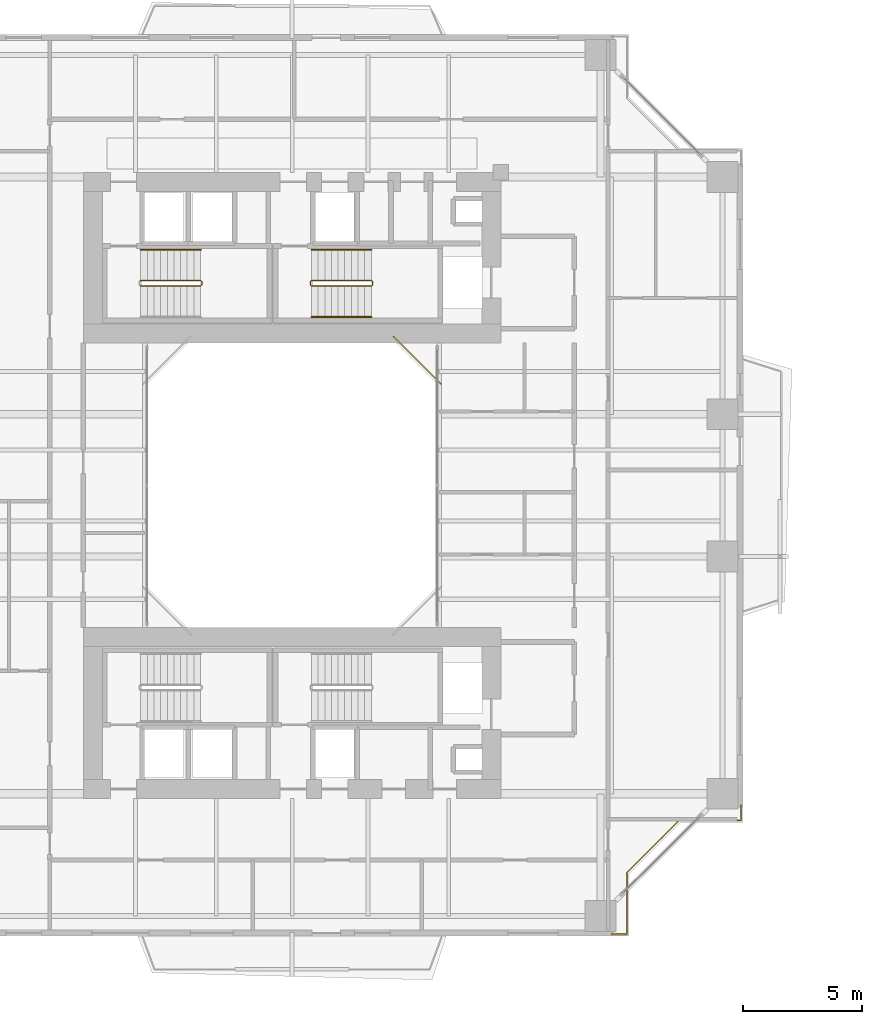
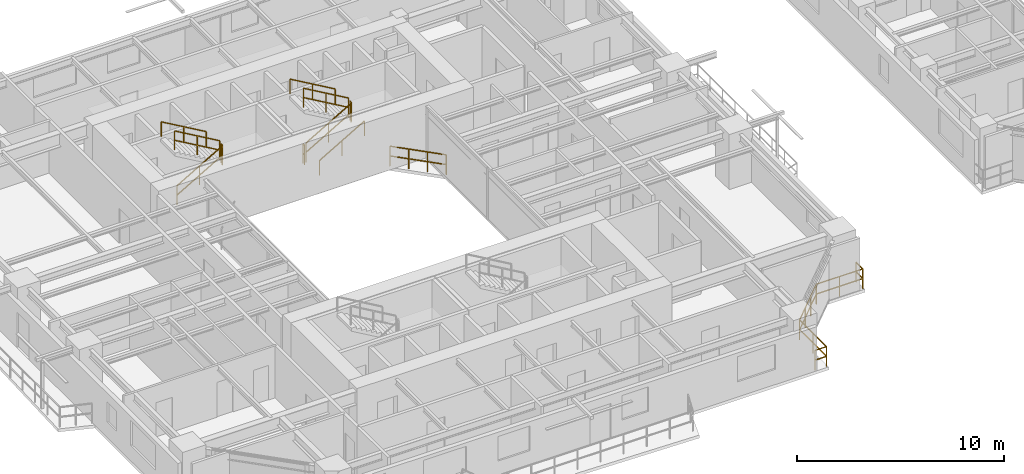
# One storey, part 20 of 23: 12 railings.
"""IFC4 building model written with IfcOpenShell, lengths in metres."""

from ifc_helpers import new_model, si_unit, direction, frame, origin, origin_2d, place, context, subcontext, project, spatial, rectangle, extrude, material, type_object, element, save


model = new_model("IFC4")

# Units and contexts
model_context = context("Model", 3, precision=1e-05, world=origin(), true_north=direction((0.0, 1.0)))
body_context = subcontext(model_context, "Body", "Model", "MODEL_VIEW")
ifc_project = project(units=[si_unit("LENGTHUNIT", "METRE"), si_unit("AREAUNIT", "SQUARE_METRE"), si_unit("VOLUMEUNIT", "CUBIC_METRE"), si_unit("PLANEANGLEUNIT", "RADIAN"), si_unit("MASSUNIT", "GRAM", prefix="KILO"), si_unit("THERMODYNAMICTEMPERATUREUNIT", "KELVIN"), si_unit("POWERUNIT", "WATT")], contexts=[model_context])

# Site, building, storey
site_placement = place(None, origin())
site = spatial("IfcSite", under=ifc_project, at=site_placement, CompositionType="ELEMENT")
building_placement = place(site_placement, origin())
building = spatial("IfcBuilding", under=site, at=building_placement, Name="Qiaomeng Ring Towers", CompositionType="ELEMENT")
storey_placement = place(building_placement, frame((0.0, 0.0, 29.5)))
storey = spatial("IfcBuildingStorey", under=building, at=storey_placement, Name="L07", CompositionType="ELEMENT", Elevation=29.5)

# Railings
ifc_material_1 = material(Name="Low-E pale-green laminated safety glass", Category="glass")
railing_type_1 = type_object("IfcRailingType", Name="ARC-RL-BAL1", PredefinedType="BALUSTRADE", material=ifc_material_1)
railing_1_placement = place(storey_placement, frame((25.280029296875, 27.280029296875, 0.0)))
element("IfcRailing", 1, at=railing_1_placement, inside=storey, type_object=railing_type_1, Name="L07 Balustrade ARC-BAL-WELL1-L07-2", PredefinedType="BALUSTRADE", context=body_context, shape_type="SweptSolid", body=[
    extrude(rectangle(XDim=0.048095703125, YDim=0.048095703125, at=origin_2d()), frame((0.0, 0.0, 1.17578125), z_axis=(-0.707106781187, 0.707106781187, 0.0), x_axis=(-0.707106781187, -0.707106781187, 0.0)), (0.0, 0.0, 1.0), 2.828369140625),
    extrude(rectangle(XDim=0.048095703125, YDim=0.048095703125, at=origin_2d()), frame((0.0, 0.0, 0.60009765625), z_axis=(-0.707106781187, 0.707106781187, 0.0), x_axis=(-0.707106781187, -0.707106781187, 0.0)), (0.0, 0.0, 1.0), 2.828369140625),
    extrude(rectangle(XDim=0.0419921875, YDim=0.0419921875, at=origin_2d()), origin(), (0.0, 0.0, 1.0), 1.15185546875),
    extrude(rectangle(XDim=0.0419921875, YDim=0.0419921875, at=origin_2d()), frame((-0.666748046875, 0.666748046875, 0.0)), (0.0, 0.0, 1.0), 1.15185546875),
    extrude(rectangle(XDim=0.0419921875, YDim=0.0419921875, at=origin_2d()), frame((-1.333251953125, 1.333251953125, 0.0)), (0.0, 0.0, 1.0), 1.15185546875),
    extrude(rectangle(XDim=0.0419921875, YDim=0.0419921875, at=origin_2d()), frame((-2.0, 2.0, 0.0)), (0.0, 0.0, 1.0), 1.15185546875),
])
railing_2_placement = place(storey_placement, frame((32.469970703125, 4.080078125, 0.0)))
element("IfcRailing", 2, at=railing_2_placement, inside=storey, type_object=railing_type_1, Name="L07 Balustrade ARC-BAL-NOTCH1-L07-SE", PredefinedType="BALUSTRADE", context=body_context, shape_type="SweptSolid", body=[
    extrude(rectangle(XDim=0.048095703125, YDim=0.048095703125, at=origin_2d()), frame((0.0, 0.0, 1.17578125), z_axis=(1.0, 0.0, 0.0), x_axis=(0.0, 1.0, 0.0)), (0.0, 0.0, 1.0), 0.650146484375),
    extrude(rectangle(XDim=0.048095703125, YDim=0.048095703125, at=origin_2d()), frame((0.0, 0.0, 0.60009765625), z_axis=(1.0, 0.0, 0.0), x_axis=(0.0, 1.0, 0.0)), (0.0, 0.0, 1.0), 0.650146484375),
    extrude(rectangle(XDim=0.048095703125, YDim=0.048095703125, at=origin_2d()), frame((0.650146484375, 0.0, 1.17578125), z_axis=(0.0, 1.0, 0.0), x_axis=(-1.0, 0.0, 0.0)), (0.0, 0.0, 1.0), 2.599853515625),
    extrude(rectangle(XDim=0.048095703125, YDim=0.048095703125, at=origin_2d()), frame((0.650146484375, 0.0, 0.60009765625), z_axis=(0.0, 1.0, 0.0), x_axis=(-1.0, 0.0, 0.0)), (0.0, 0.0, 1.0), 2.599853515625),
    extrude(rectangle(XDim=0.048095703125, YDim=0.048095703125, at=origin_2d()), frame((0.650146484375, 2.599853515625, 1.17578125), z_axis=(0.707106781187, 0.707106781187, 0.0), x_axis=(-0.707106781187, 0.707106781187, 0.0)), (0.0, 0.0, 1.0), 3.111083984375),
    extrude(rectangle(XDim=0.048095703125, YDim=0.048095703125, at=origin_2d()), frame((0.650146484375, 2.599853515625, 0.60009765625), z_axis=(0.707106781187, 0.707106781187, 0.0), x_axis=(-0.707106781187, 0.707106781187, 0.0)), (0.0, 0.0, 1.0), 3.111083984375),
    extrude(rectangle(XDim=0.048095703125, YDim=0.048095703125, at=origin_2d()), frame((2.85009765625, 4.7998046875, 1.17578125), z_axis=(1.0, 0.0, 0.0), x_axis=(0.0, 1.0, 0.0)), (0.0, 0.0, 1.0), 2.599853515625),
    extrude(rectangle(XDim=0.048095703125, YDim=0.048095703125, at=origin_2d()), frame((2.85009765625, 4.7998046875, 0.60009765625), z_axis=(1.0, 0.0, 0.0), x_axis=(0.0, 1.0, 0.0)), (0.0, 0.0, 1.0), 2.599853515625),
    extrude(rectangle(XDim=0.048095703125, YDim=0.048095703125, at=origin_2d()), frame((5.449951171875, 4.7998046875, 1.17578125), z_axis=(0.0, 1.0, 0.0), x_axis=(-1.0, 0.0, 0.0)), (0.0, 0.0, 1.0), 0.650146484375),
    extrude(rectangle(XDim=0.048095703125, YDim=0.048095703125, at=origin_2d()), frame((5.449951171875, 4.7998046875, 0.60009765625), z_axis=(0.0, 1.0, 0.0), x_axis=(-1.0, 0.0, 0.0)), (0.0, 0.0, 1.0), 0.650146484375),
    extrude(rectangle(XDim=0.0419921875, YDim=0.0419921875, at=origin_2d()), origin(), (0.0, 0.0, 1.0), 1.15185546875),
    extrude(rectangle(XDim=0.0419921875, YDim=0.0419921875, at=origin_2d()), frame((0.650146484375, 0.0, 0.0)), (0.0, 0.0, 1.0), 1.15185546875),
    extrude(rectangle(XDim=0.0419921875, YDim=0.0419921875, at=origin_2d()), frame((0.650146484375, 1.2998046875, 0.0)), (0.0, 0.0, 1.0), 1.15185546875),
    extrude(rectangle(XDim=0.0419921875, YDim=0.0419921875, at=origin_2d()), frame((0.650146484375, 2.599853515625, 0.0)), (0.0, 0.0, 1.0), 1.15185546875),
    extrude(rectangle(XDim=0.0419921875, YDim=0.0419921875, at=origin_2d()), frame((1.383544921875, 3.333251953125, 0.0)), (0.0, 0.0, 1.0), 1.15185546875),
    extrude(rectangle(XDim=0.0419921875, YDim=0.0419921875, at=origin_2d()), frame((2.11669921875, 4.06640625, 0.0)), (0.0, 0.0, 1.0), 1.15185546875),
    extrude(rectangle(XDim=0.0419921875, YDim=0.0419921875, at=origin_2d()), frame((2.85009765625, 4.7998046875, 0.0)), (0.0, 0.0, 1.0), 1.15185546875),
    extrude(rectangle(XDim=0.0419921875, YDim=0.0419921875, at=origin_2d()), frame((4.14990234375, 4.7998046875, 0.0)), (0.0, 0.0, 1.0), 1.15185546875),
    extrude(rectangle(XDim=0.0419921875, YDim=0.0419921875, at=origin_2d()), frame((5.449951171875, 4.7998046875, 0.0)), (0.0, 0.0, 1.0), 1.15185546875),
    extrude(rectangle(XDim=0.0419921875, YDim=0.0419921875, at=origin_2d()), frame((5.449951171875, 5.449951171875, 0.0)), (0.0, 0.0, 1.0), 1.15185546875),
])
ifc_material_2 = material(Name="Galvanised steel", Category="steel")
railing_type_2 = type_object("IfcRailingType", Name="ARC-RL-GUARD", PredefinedType="GUARDRAIL", material=ifc_material_2)
railing_3_placement = place(storey_placement, frame((12.6201171875, 31.39990234375, 0.16259765625)))
element("IfcRailing", 3, at=railing_3_placement, inside=storey, type_object=railing_type_2, Name="L07 ST1 stair guard 1", PredefinedType="GUARDRAIL", context=body_context, shape_type="SweptSolid", body=[
    extrude(rectangle(XDim=0.048095703125, YDim=0.048095703125, at=origin_2d()), frame((0.0, 0.0, 1.1259765625), z_axis=(0.864892226395, 0.0, 0.501957604506), x_axis=(0.0, 1.0, 0.0)), (0.0, 0.0, 1.0), 2.913330078125),
    extrude(rectangle(XDim=0.048095703125, YDim=0.048095703125, at=origin_2d()), frame((0.0, 0.0, 0.574951171875), z_axis=(0.864892226395, 0.0, 0.501957604506), x_axis=(0.0, 1.0, 0.0)), (0.0, 0.0, 1.0), 2.913330078125),
    extrude(rectangle(XDim=0.0419921875, YDim=0.0419921875, at=origin_2d()), origin(), (0.0, 0.0, 1.0), 1.101806640625),
    extrude(rectangle(XDim=0.0419921875, YDim=0.0419921875, at=origin_2d()), frame((1.259765625, 0.0, 0.731201171875)), (0.0, 0.0, 1.0), 1.101806640625),
    extrude(rectangle(XDim=0.0419921875, YDim=0.0419921875, at=origin_2d()), frame((2.519775390625, 0.0, 1.46240234375)), (0.0, 0.0, 1.0), 1.101806640625),
])
railing_4_placement = place(storey_placement, frame((15.18994140625, 31.449951171875, 1.625)))
element("IfcRailing", 4, at=railing_4_placement, inside=storey, type_object=railing_type_2, Name="L07 ST1 stair guard 2", PredefinedType="GUARDRAIL", context=body_context, shape_type="SweptSolid", body=[
    extrude(rectangle(XDim=0.048095703125, YDim=0.048095703125, at=origin_2d()), frame((0.0, 0.0, 1.1259765625), z_axis=(0.0, 1.0, 0.0), x_axis=(-1.0, 0.0, 0.0)), (0.0, 0.0, 1.0), 0.14013671875),
    extrude(rectangle(XDim=0.048095703125, YDim=0.048095703125, at=origin_2d()), frame((0.0, 0.0, 0.574951171875), z_axis=(0.0, 1.0, 0.0), x_axis=(-1.0, 0.0, 0.0)), (0.0, 0.0, 1.0), 0.14013671875),
    extrude(rectangle(XDim=0.0419921875, YDim=0.0419921875, at=origin_2d()), origin(), (0.0, 0.0, 1.0), 1.101806640625),
    extrude(rectangle(XDim=0.0419921875, YDim=0.0419921875, at=origin_2d()), frame((0.0, 0.14013671875, 0.0)), (0.0, 0.0, 1.0), 1.101806640625),
])
railing_5_placement = place(storey_placement, frame((15.139892578125, 31.639892578125, 1.78759765625)))
element("IfcRailing", 5, at=railing_5_placement, inside=storey, type_object=railing_type_2, Name="L07 ST1 stair guard 3", PredefinedType="GUARDRAIL", context=body_context, shape_type="SweptSolid", body=[
    extrude(rectangle(XDim=0.048095703125, YDim=0.048095703125, at=origin_2d()), frame((0.0, 0.0, 1.1259765625), z_axis=(-0.864892226395, 0.0, 0.501957604506), x_axis=(0.0, -1.0, 0.0)), (0.0, 0.0, 1.0), 2.913330078125),
    extrude(rectangle(XDim=0.048095703125, YDim=0.048095703125, at=origin_2d()), frame((0.0, 0.0, 0.574951171875), z_axis=(-0.864892226395, 0.0, 0.501957604506), x_axis=(0.0, -1.0, 0.0)), (0.0, 0.0, 1.0), 2.913330078125),
    extrude(rectangle(XDim=0.0419921875, YDim=0.0419921875, at=origin_2d()), origin(), (0.0, 0.0, 1.0), 1.101806640625),
    extrude(rectangle(XDim=0.0419921875, YDim=0.0419921875, at=origin_2d()), frame((-1.259765625, 0.0, 0.731201171875)), (0.0, 0.0, 1.0), 1.101806640625),
    extrude(rectangle(XDim=0.0419921875, YDim=0.0419921875, at=origin_2d()), frame((-2.519775390625, 0.0, 1.46240234375)), (0.0, 0.0, 1.0), 1.101806640625),
])
railing_6_placement = place(storey_placement, frame((19.820068359375, 31.39990234375, 0.16259765625)))
element("IfcRailing", 6, at=railing_6_placement, inside=storey, type_object=railing_type_2, Name="L07 ST2 stair guard 1", PredefinedType="GUARDRAIL", context=body_context, shape_type="SweptSolid", body=[
    extrude(rectangle(XDim=0.048095703125, YDim=0.048095703125, at=origin_2d()), frame((0.0, 0.0, 1.1259765625), z_axis=(0.864913338283, 0.0, 0.50192122615), x_axis=(0.0, 1.0, 0.0)), (0.0, 0.0, 1.0), 2.91357421875),
    extrude(rectangle(XDim=0.048095703125, YDim=0.048095703125, at=origin_2d()), frame((0.0, 0.0, 0.574951171875), z_axis=(0.864913338283, 0.0, 0.50192122615), x_axis=(0.0, 1.0, 0.0)), (0.0, 0.0, 1.0), 2.91357421875),
    extrude(rectangle(XDim=0.0419921875, YDim=0.0419921875, at=origin_2d()), origin(), (0.0, 0.0, 1.0), 1.101806640625),
    extrude(rectangle(XDim=0.0419921875, YDim=0.0419921875, at=origin_2d()), frame((1.260009765625, 0.0, 0.731201171875)), (0.0, 0.0, 1.0), 1.101806640625),
    extrude(rectangle(XDim=0.0419921875, YDim=0.0419921875, at=origin_2d()), frame((2.52001953125, 0.0, 1.46240234375)), (0.0, 0.0, 1.0), 1.101806640625),
])
railing_7_placement = place(storey_placement, frame((22.389892578125, 31.449951171875, 1.625)))
element("IfcRailing", 7, at=railing_7_placement, inside=storey, type_object=railing_type_2, Name="L07 ST2 stair guard 2", PredefinedType="GUARDRAIL", context=body_context, shape_type="SweptSolid", body=[
    extrude(rectangle(XDim=0.048095703125, YDim=0.048095703125, at=origin_2d()), frame((0.0, 0.0, 1.1259765625), z_axis=(0.0, 1.0, 0.0), x_axis=(-1.0, 0.0, 0.0)), (0.0, 0.0, 1.0), 0.14013671875),
    extrude(rectangle(XDim=0.048095703125, YDim=0.048095703125, at=origin_2d()), frame((0.0, 0.0, 0.574951171875), z_axis=(0.0, 1.0, 0.0), x_axis=(-1.0, 0.0, 0.0)), (0.0, 0.0, 1.0), 0.14013671875),
    extrude(rectangle(XDim=0.0419921875, YDim=0.0419921875, at=origin_2d()), origin(), (0.0, 0.0, 1.0), 1.101806640625),
    extrude(rectangle(XDim=0.0419921875, YDim=0.0419921875, at=origin_2d()), frame((0.0, 0.14013671875, 0.0)), (0.0, 0.0, 1.0), 1.101806640625),
])
railing_8_placement = place(storey_placement, frame((22.340087890625, 31.639892578125, 1.78759765625)))
element("IfcRailing", 8, at=railing_8_placement, inside=storey, type_object=railing_type_2, Name="L07 ST2 stair guard 3", PredefinedType="GUARDRAIL", context=body_context, shape_type="SweptSolid", body=[
    extrude(rectangle(XDim=0.048095703125, YDim=0.048095703125, at=origin_2d()), frame((0.0, 0.0, 1.1259765625), z_axis=(-0.864913338283, 0.0, 0.50192122615), x_axis=(0.0, -1.0, 0.0)), (0.0, 0.0, 1.0), 2.91357421875),
    extrude(rectangle(XDim=0.048095703125, YDim=0.048095703125, at=origin_2d()), frame((0.0, 0.0, 0.574951171875), z_axis=(-0.864913338283, 0.0, 0.50192122615), x_axis=(0.0, -1.0, 0.0)), (0.0, 0.0, 1.0), 2.91357421875),
    extrude(rectangle(XDim=0.0419921875, YDim=0.0419921875, at=origin_2d()), origin(), (0.0, 0.0, 1.0), 1.101806640625),
    extrude(rectangle(XDim=0.0419921875, YDim=0.0419921875, at=origin_2d()), frame((-1.260009765625, 0.0, 0.731201171875)), (0.0, 0.0, 1.0), 1.101806640625),
    extrude(rectangle(XDim=0.0419921875, YDim=0.0419921875, at=origin_2d()), frame((-2.52001953125, 0.0, 1.46240234375)), (0.0, 0.0, 1.0), 1.101806640625),
])
railing_9_placement = place(storey_placement, frame((19.77001953125, 31.449951171875, 0.0)))
element("IfcRailing", 9, at=railing_9_placement, inside=storey, type_object=railing_type_2, Name="L07 ST2 stair guard 4", PredefinedType="GUARDRAIL", context=body_context, shape_type="SweptSolid", body=[
    extrude(rectangle(XDim=0.048095703125, YDim=0.048095703125, at=origin_2d()), frame((0.0, 0.0, 1.1259765625), z_axis=(0.0, 1.0, 0.0), x_axis=(-1.0, 0.0, 0.0)), (0.0, 0.0, 1.0), 0.14013671875),
    extrude(rectangle(XDim=0.048095703125, YDim=0.048095703125, at=origin_2d()), frame((0.0, 0.0, 0.574951171875), z_axis=(0.0, 1.0, 0.0), x_axis=(-1.0, 0.0, 0.0)), (0.0, 0.0, 1.0), 0.14013671875),
    extrude(rectangle(XDim=0.0419921875, YDim=0.0419921875, at=origin_2d()), origin(), (0.0, 0.0, 1.0), 1.101806640625),
    extrude(rectangle(XDim=0.0419921875, YDim=0.0419921875, at=origin_2d()), frame((0.0, 0.14013671875, 0.0)), (0.0, 0.0, 1.0), 1.101806640625),
])
ifc_material_3 = material(Name="Stainless steel 316", Category="steel")
railing_type_3 = type_object("IfcRailingType", Name="ARC-RL-HAND", PredefinedType="HANDRAIL", material=ifc_material_3)
railing_10_placement = place(storey_placement, frame((15.139892578125, 32.93994140625, 1.78759765625)))
element("IfcRailing", 10, at=railing_10_placement, inside=storey, type_object=railing_type_3, Name="L07 ST1 stair handrail 2", PredefinedType="HANDRAIL", context=body_context, shape_type="SweptSolid", body=[
    extrude(rectangle(XDim=0.048095703125, YDim=0.048095703125, at=origin_2d()), frame((0.0, 0.0, 0.8759765625), z_axis=(-0.864892226395, 0.0, 0.501957604506), x_axis=(0.0, -1.0, 0.0)), (0.0, 0.0, 1.0), 2.913330078125),
    extrude(rectangle(XDim=0.0419921875, YDim=0.0419921875, at=origin_2d()), origin(), (0.0, 0.0, 1.0), 0.851806640625),
    extrude(rectangle(XDim=0.0419921875, YDim=0.0419921875, at=origin_2d()), frame((-1.259765625, 0.0, 0.731201171875)), (0.0, 0.0, 1.0), 0.851806640625),
    extrude(rectangle(XDim=0.0419921875, YDim=0.0419921875, at=origin_2d()), frame((-2.519775390625, 0.0, 1.46240234375)), (0.0, 0.0, 1.0), 0.851806640625),
])
railing_11_placement = place(storey_placement, frame((19.820068359375, 30.10009765625, 0.16259765625)))
element("IfcRailing", 11, at=railing_11_placement, inside=storey, type_object=railing_type_3, Name="L07 ST2 stair handrail 1", PredefinedType="HANDRAIL", context=body_context, shape_type="SweptSolid", body=[
    extrude(rectangle(XDim=0.048095703125, YDim=0.048095703125, at=origin_2d()), frame((0.0, 0.0, 0.8759765625), z_axis=(0.864913338283, 0.0, 0.50192122615), x_axis=(0.0, 1.0, 0.0)), (0.0, 0.0, 1.0), 2.91357421875),
    extrude(rectangle(XDim=0.0419921875, YDim=0.0419921875, at=origin_2d()), origin(), (0.0, 0.0, 1.0), 0.851806640625),
    extrude(rectangle(XDim=0.0419921875, YDim=0.0419921875, at=origin_2d()), frame((1.260009765625, 0.0, 0.731201171875)), (0.0, 0.0, 1.0), 0.851806640625),
    extrude(rectangle(XDim=0.0419921875, YDim=0.0419921875, at=origin_2d()), frame((2.52001953125, 0.0, 1.46240234375)), (0.0, 0.0, 1.0), 0.851806640625),
])
railing_12_placement = place(storey_placement, frame((22.340087890625, 32.93994140625, 1.78759765625)))
element("IfcRailing", 12, at=railing_12_placement, inside=storey, type_object=railing_type_3, Name="L07 ST2 stair handrail 2", PredefinedType="HANDRAIL", context=body_context, shape_type="SweptSolid", body=[
    extrude(rectangle(XDim=0.048095703125, YDim=0.048095703125, at=origin_2d()), frame((0.0, 0.0, 0.8759765625), z_axis=(-0.864913338283, 0.0, 0.50192122615), x_axis=(0.0, -1.0, 0.0)), (0.0, 0.0, 1.0), 2.91357421875),
    extrude(rectangle(XDim=0.0419921875, YDim=0.0419921875, at=origin_2d()), origin(), (0.0, 0.0, 1.0), 0.851806640625),
    extrude(rectangle(XDim=0.0419921875, YDim=0.0419921875, at=origin_2d()), frame((-1.260009765625, 0.0, 0.731201171875)), (0.0, 0.0, 1.0), 0.851806640625),
    extrude(rectangle(XDim=0.0419921875, YDim=0.0419921875, at=origin_2d()), frame((-2.52001953125, 0.0, 1.46240234375)), (0.0, 0.0, 1.0), 0.851806640625),
])

save(model, "model.ifc")
